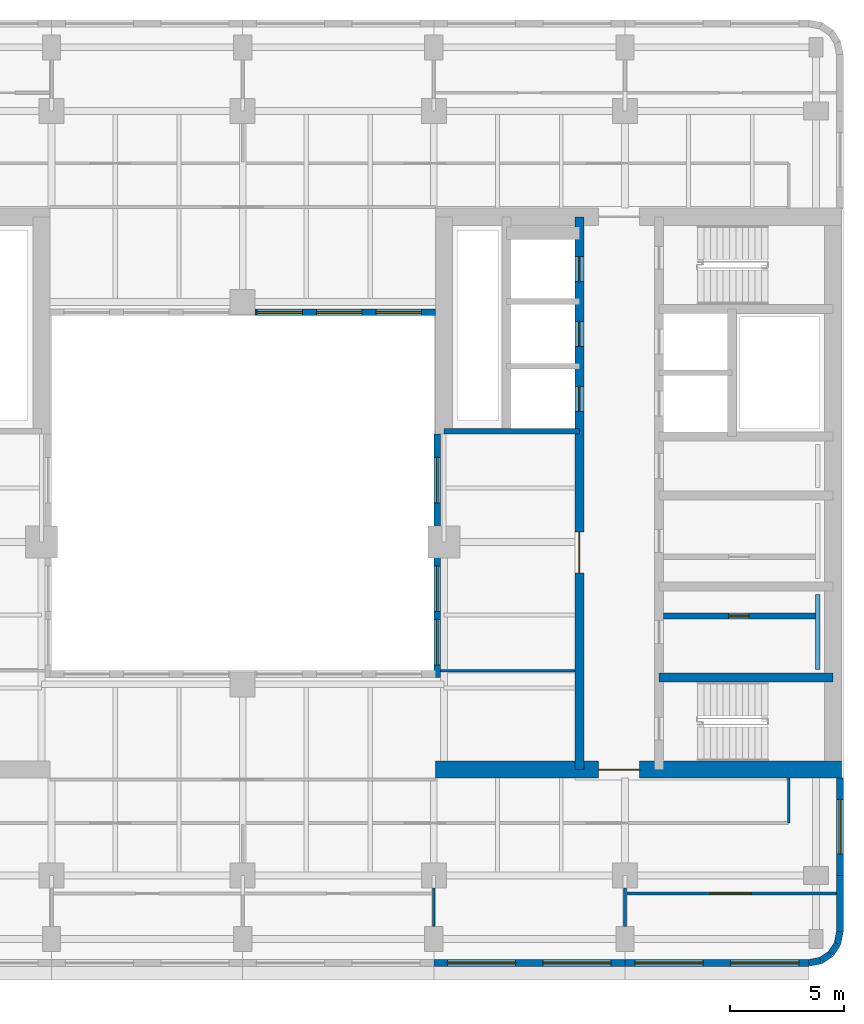
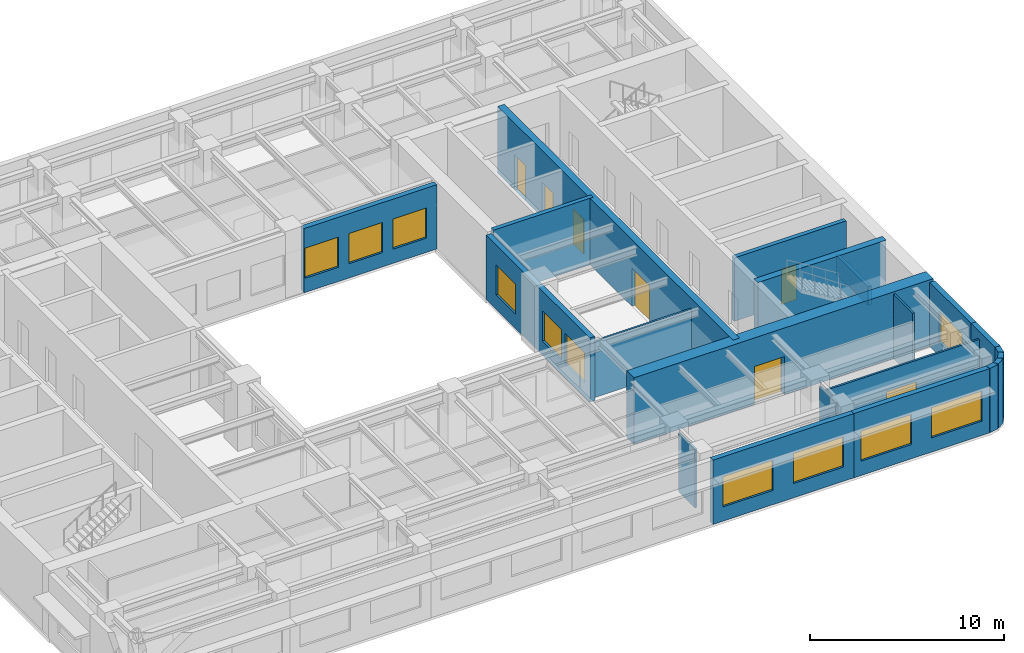
# One storey, part 5 of 11: 21 walls, 11 windows, 7 doors, 18 openings.
"""IFC4 building model written with IfcOpenShell, lengths in metres."""

from ifc_helpers import new_model, si_unit, direction, frame, frame_2d, origin, place, context, subcontext, project, spatial, rectangle, extrude, material, layer, layer_set, type_object, element, fill, save


model = new_model("IFC4")

# Units and contexts
model_context = context("Model", 3, precision=1e-05, world=origin(), true_north=direction((0.0, 1.0)))
body_context = subcontext(model_context, "Body", "Model", "MODEL_VIEW")
ifc_project = project(units=[si_unit("LENGTHUNIT", "METRE"), si_unit("AREAUNIT", "SQUARE_METRE"), si_unit("VOLUMEUNIT", "CUBIC_METRE"), si_unit("PLANEANGLEUNIT", "RADIAN"), si_unit("MASSUNIT", "GRAM", prefix="KILO")], contexts=[model_context])

# Site, building, storey
site_placement = place(None, origin())
site = spatial("IfcSite", under=ifc_project, at=site_placement, CompositionType="ELEMENT")
building_placement = place(site_placement, origin())
building = spatial("IfcBuilding", under=site, at=building_placement, Name="Claustro Exchange Tower", CompositionType="ELEMENT")
storey_placement = place(building_placement, frame((0.0, 0.0, 194.39990234375)))
storey = spatial("IfcBuildingStorey", under=building, at=storey_placement, Name="L44", CompositionType="ELEMENT", Elevation=194.39990234375)

# Walls
ifc_material_1 = material(Name="Laminated glass in aluminium frame", Category="aluminium")
ifc_layer_1 = layer(ifc_material_1, 0.1201171875)
ifc_layer_set_1 = layer_set([ifc_layer_1], Name="Laminated glass in aluminium frame")
wall_type_1 = type_object("IfcWallType", Name="P2 120 glazed partition", PredefinedType="PARTITIONING", material=ifc_layer_set_1)
wall_1_placement = place(storey_placement, frame((33.89794921875, 17.39990234375, 0.0), z_axis=(0.0, 0.0, 1.0), x_axis=(1.0, 0.0, 0.0)))
element("IfcWall", 1, at=wall_1_placement, inside=storey, type_object=wall_type_1, Name="Partition P2 L44", PredefinedType="PARTITIONING", context=body_context, shape_type="SweptSolid", body=[
    extrude(rectangle(XDim=5.904052734375, YDim=0.1201171875, at=frame_2d((2.9521484375, 0.0))), origin(), (0.0, 0.0, 1.0), 3.550048828125),
])
wall_2_placement = place(storey_placement, frame((33.60009765625, 6.14892578125, 0.0), z_axis=(0.0, 0.0, 1.0), x_axis=(0.0, 1.0, 0.0)))
element("IfcWall", 2, at=wall_2_placement, inside=storey, type_object=wall_type_1, Name="Partition P2 L44", PredefinedType="PARTITIONING", context=body_context, shape_type="SweptSolid", body=[
    extrude(rectangle(XDim=1.703125, YDim=0.1201171875, at=frame_2d((0.8515625, 0.0))), origin(), (0.0, 0.0, 1.0), 3.690185546875),
])

# Wall, opening, door
wall_3_placement = place(storey_placement, frame((42.0, 7.60009765625, 0.0), z_axis=(0.0, 0.0, 1.0), x_axis=(1.0, 0.0, 0.0)))
wall_3 = element("IfcWall", 3, at=wall_3_placement, inside=storey, type_object=wall_type_1, Name="Partition P2 L44", PredefinedType="PARTITIONING", context=body_context, shape_type="SweptSolid", body=[
    extrude(rectangle(XDim=9.302001953125, YDim=0.1201171875, at=frame_2d((4.65087890625, 0.0))), origin(), (0.0, 0.0, 1.0), 3.56005859375),
])
opening_1_placement = place(wall_3_placement, frame((3.75, 0.0, 0.0)))
opening_1 = element("IfcOpeningElement", 4, at=opening_1_placement, cuts=wall_3, Name="Opening D2", PredefinedType="OPENING", context=body_context, shape_type="SweptSolid", body=[
    extrude(rectangle(XDim=1.800048828125, YDim=2.199951171875, at=frame_2d((0.89990234375, 1.10009765625))), frame((0.0, 0.070068359375, 0.0), z_axis=(0.0, -1.0, 0.0), x_axis=(1.0, 0.0, 0.0)), (0.0, 0.0, 1.0), 0.14013671875),
])
ifc_material_2 = material(Name="Timber door, oak veneer", Category="wood")
door_type_1 = type_object("IfcDoorType", Name="D2 1800 x 2200 double door", OperationType="DOUBLE_DOOR_SINGLE_SWING", PredefinedType="DOOR", material=ifc_material_2)
door_1_placement = place(opening_1_placement, frame((1.800048828125, 0.0, 0.0), z_axis=(0.0, 0.0, 1.0), x_axis=(-1.0, 0.0, 0.0)))
door_1 = element("IfcDoor", 5, at=door_1_placement, inside=storey, type_object=door_type_1, Name="Double door D2 L44", OperationType="DOUBLE_DOOR_SINGLE_SWING", OverallHeight=2.199951171875, OverallWidth=1.800048828125, PredefinedType="DOOR", context=body_context, shape_type="SweptSolid", body=[
    extrude(rectangle(XDim=1.800048828125, YDim=2.199951171875, at=frame_2d((0.89990234375, 1.10009765625))), frame((0.0, 0.02490234375, 0.0), z_axis=(0.0, -1.0, 0.0), x_axis=(1.0, 0.0, 0.0)), (0.0, 0.0, 1.0), 0.050048828125),
])
fill(opening_1, door_1)

# Walls
wall_4_placement = place(storey_placement, frame((42.0, 6.14892578125, 0.0), z_axis=(0.0, 0.0, 1.0), x_axis=(0.0, 1.0, 0.0)))
element("IfcWall", 6, at=wall_4_placement, inside=storey, type_object=wall_type_1, Name="Partition P2 L44", PredefinedType="PARTITIONING", context=body_context, shape_type="SweptSolid", body=[
    extrude(rectangle(XDim=1.703125, YDim=0.1201171875, at=frame_2d((0.8515625, 0.0))), origin(), (0.0, 0.0, 1.0), 3.690185546875),
])
wall_5_placement = place(storey_placement, frame((49.199951171875, 10.699951171875, 0.0), z_axis=(0.0, 0.0, 1.0), x_axis=(0.0, 1.0, 0.0)))
element("IfcWall", 7, at=wall_5_placement, inside=storey, type_object=wall_type_1, Name="Partition P2 L44", PredefinedType="PARTITIONING", context=body_context, shape_type="SweptSolid", body=[
    extrude(rectangle(XDim=1.97607421875, YDim=0.1201171875, at=frame_2d((0.988037109375, 0.0))), origin(), (0.0, 0.0, 1.0), 4.050048828125),
])

# Wall, opening, door
ifc_material_3 = material(Name="Concrete blockwork, rendered", Category="masonry")
ifc_layer_2 = layer(ifc_material_3, 0.25)
ifc_layer_set_2 = layer_set([ifc_layer_2], Name="Concrete blockwork, rendered")
wall_type_2 = type_object("IfcWallType", Name="P4 250 blockwork wall", PredefinedType="PARTITIONING", material=ifc_layer_set_2)
wall_6_placement = place(storey_placement, frame((43.699951171875, 19.800048828125, 0.0), z_axis=(0.0, 0.0, 1.0), x_axis=(1.0, 0.0, 0.0)))
wall_6 = element("IfcWall", 8, at=wall_6_placement, inside=storey, type_object=wall_type_2, Name="Partition P4 L44", PredefinedType="PARTITIONING", context=body_context, shape_type="SweptSolid", body=[
    extrude(rectangle(XDim=6.675048828125, YDim=0.25, at=frame_2d((3.33740234375, 0.0))), origin(), (0.0, 0.0, 1.0), 4.0),
])
opening_2_placement = place(wall_6_placement, frame((2.862548828125, 0.0, 0.0)))
opening_2 = element("IfcOpeningElement", 9, at=opening_2_placement, cuts=wall_6, Name="Opening D5", PredefinedType="OPENING", context=body_context, shape_type="SweptSolid", body=[
    extrude(rectangle(XDim=0.89990234375, YDim=2.199951171875, at=frame_2d((0.449951171875, 1.10009765625))), frame((0.0, 0.135009765625, 0.0), z_axis=(0.0, -1.0, 0.0), x_axis=(1.0, 0.0, 0.0)), (0.0, 0.0, 1.0), 0.27001953125),
])
ifc_material_4 = material(Name="Steel door, painted", Category="steel")
door_type_2 = type_object("IfcDoorType", Name="D5 900 x 2200 store door", OperationType="SINGLE_SWING_LEFT", PredefinedType="DOOR", material=ifc_material_4)
door_2_placement = place(opening_2_placement, origin())
door_2 = element("IfcDoor", 10, at=door_2_placement, inside=storey, type_object=door_type_2, Name="Store door D5 L44", OperationType="SINGLE_SWING_LEFT", OverallHeight=2.199951171875, OverallWidth=0.89990234375, PredefinedType="DOOR", context=body_context, shape_type="SweptSolid", body=[
    extrude(rectangle(XDim=0.89990234375, YDim=2.199951171875, at=frame_2d((0.449951171875, 1.10009765625))), frame((0.0, 0.02490234375, 0.0), z_axis=(0.0, -1.0, 0.0), x_axis=(1.0, 0.0, 0.0)), (0.0, 0.0, 1.0), 0.050048828125),
])
fill(opening_2, door_2)

# Wall, openings, windows
ifc_material_5 = material(Name="Concrete HA-40 (C40/50), precast, white cement, acid-etched", Category="concrete")
ifc_layer_3 = layer(ifc_material_5, 0.300048828125)
ifc_layer_set_3 = layer_set([ifc_layer_3], Name="Concrete HA-40 (C40/50), precast, white cement, acid-etched")
wall_type_3 = type_object("IfcWallType", Name="PC1 300 precast concrete pier panel", PredefinedType="SOLIDWALL", material=ifc_layer_set_3)
wall_7_placement = place(storey_placement, frame((50.085205078125, 4.550048828125, 0.0), z_axis=(0.0, 0.0, 1.0), x_axis=(-1.0, 0.0, 0.0)))
wall_7 = element("IfcWall", 11, at=wall_7_placement, inside=storey, type_object=wall_type_3, Name="Precast pier panel PC1 L44", PredefinedType="SOLIDWALL", context=body_context, shape_type="SweptSolid", body=[
    extrude(rectangle(XDim=8.085205078125, YDim=0.300048828125, at=frame_2d((4.04248046875, 0.0))), origin(), (0.0, 0.0, 1.0), 4.050048828125),
])
opening_3_placement = place(wall_7_placement, frame((0.442626953125, 0.0, 0.89990234375)))
opening_3 = element("IfcOpeningElement", 12, at=opening_3_placement, cuts=wall_7, Name="Opening W1", PredefinedType="OPENING", context=body_context, shape_type="SweptSolid", body=[
    extrude(rectangle(XDim=3.0, YDim=1.89990234375, at=frame_2d((1.5, 0.949951171875))), frame((0.0, 0.159912109375, 0.0), z_axis=(0.0, -1.0, 0.0), x_axis=(1.0, 0.0, 0.0)), (0.0, 0.0, 1.0), 0.320068359375),
])
opening_4_placement = place(wall_7_placement, frame((4.642578125, 0.0, 0.89990234375)))
opening_4 = element("IfcOpeningElement", 13, at=opening_4_placement, cuts=wall_7, Name="Opening W1", PredefinedType="OPENING", context=body_context, shape_type="SweptSolid", body=[
    extrude(rectangle(XDim=3.0, YDim=1.89990234375, at=frame_2d((1.5, 0.949951171875))), frame((0.0, 0.159912109375, 0.0), z_axis=(0.0, -1.0, 0.0), x_axis=(1.0, 0.0, 0.0)), (0.0, 0.0, 1.0), 0.320068359375),
])
ifc_material_6 = material(Name="Aluminium frame, clear double glazing", Category="aluminium")
window_type_1 = type_object("IfcWindowType", Name="W1 3000 x 1900 window", PartitioningType="SINGLE_PANEL", PredefinedType="WINDOW", material=ifc_material_6)
window_1_placement = place(opening_3_placement, origin())
window_1 = element("IfcWindow", 14, at=window_1_placement, inside=storey, type_object=window_type_1, Name="Window W1 L44", OverallHeight=1.89990234375, OverallWidth=3.0, PartitioningType="SINGLE_PANEL", PredefinedType="WINDOW", context=body_context, shape_type="SweptSolid", body=[
    extrude(rectangle(XDim=3.0, YDim=1.89990234375, at=frame_2d((1.5, 0.949951171875))), frame((0.0, 0.030029296875, 0.0), z_axis=(0.0, -1.0, 0.0), x_axis=(1.0, 0.0, 0.0)), (0.0, 0.0, 1.0), 0.06005859375),
])
fill(opening_3, window_1)
window_2_placement = place(opening_4_placement, origin())
window_2 = element("IfcWindow", 15, at=window_2_placement, inside=storey, type_object=window_type_1, Name="Window W1 L44", OverallHeight=1.89990234375, OverallWidth=3.0, PartitioningType="SINGLE_PANEL", PredefinedType="WINDOW", context=body_context, shape_type="SweptSolid", body=[
    extrude(rectangle(XDim=3.0, YDim=1.89990234375, at=frame_2d((1.5, 0.949951171875))), frame((0.0, 0.030029296875, 0.0), z_axis=(0.0, -1.0, 0.0), x_axis=(1.0, 0.0, 0.0)), (0.0, 0.0, 1.0), 0.06005859375),
])
fill(opening_4, window_2)

wall_8_placement = place(storey_placement, frame((42.0, 4.550048828125, 0.0), z_axis=(0.0, 0.0, 1.0), x_axis=(-1.0, 0.0, 0.0)))
wall_8 = element("IfcWall", 16, at=wall_8_placement, inside=storey, type_object=wall_type_3, Name="Precast pier panel PC1 L44", PredefinedType="SOLIDWALL", context=body_context, shape_type="SweptSolid", body=[
    extrude(rectangle(XDim=8.39990234375, YDim=0.300048828125, at=frame_2d((4.199951171875, 0.0))), origin(), (0.0, 0.0, 1.0), 4.050048828125),
])
opening_5_placement = place(wall_8_placement, frame((0.60009765625, 0.0, 0.89990234375)))
opening_5 = element("IfcOpeningElement", 17, at=opening_5_placement, cuts=wall_8, Name="Opening W1", PredefinedType="OPENING", context=body_context, shape_type="SweptSolid", body=[
    extrude(rectangle(XDim=3.0, YDim=1.89990234375, at=frame_2d((1.5, 0.949951171875))), frame((0.0, 0.159912109375, 0.0), z_axis=(0.0, -1.0, 0.0), x_axis=(1.0, 0.0, 0.0)), (0.0, 0.0, 1.0), 0.320068359375),
])
opening_6_placement = place(wall_8_placement, frame((4.800048828125, 0.0, 0.89990234375)))
opening_6 = element("IfcOpeningElement", 18, at=opening_6_placement, cuts=wall_8, Name="Opening W1", PredefinedType="OPENING", context=body_context, shape_type="SweptSolid", body=[
    extrude(rectangle(XDim=3.0, YDim=1.89990234375, at=frame_2d((1.5, 0.949951171875))), frame((0.0, 0.159912109375, 0.0), z_axis=(0.0, -1.0, 0.0), x_axis=(1.0, 0.0, 0.0)), (0.0, 0.0, 1.0), 0.320068359375),
])
window_3_placement = place(opening_5_placement, origin())
window_3 = element("IfcWindow", 19, at=window_3_placement, inside=storey, type_object=window_type_1, Name="Window W1 L44", OverallHeight=1.89990234375, OverallWidth=3.0, PartitioningType="SINGLE_PANEL", PredefinedType="WINDOW", context=body_context, shape_type="SweptSolid", body=[
    extrude(rectangle(XDim=3.0, YDim=1.89990234375, at=frame_2d((1.5, 0.949951171875))), frame((0.0, 0.030029296875, 0.0), z_axis=(0.0, -1.0, 0.0), x_axis=(1.0, 0.0, 0.0)), (0.0, 0.0, 1.0), 0.06005859375),
])
fill(opening_5, window_3)
window_4_placement = place(opening_6_placement, origin())
window_4 = element("IfcWindow", 20, at=window_4_placement, inside=storey, type_object=window_type_1, Name="Window W1 L44", OverallHeight=1.89990234375, OverallWidth=3.0, PartitioningType="SINGLE_PANEL", PredefinedType="WINDOW", context=body_context, shape_type="SweptSolid", body=[
    extrude(rectangle(XDim=3.0, YDim=1.89990234375, at=frame_2d((1.5, 0.949951171875))), frame((0.0, 0.030029296875, 0.0), z_axis=(0.0, -1.0, 0.0), x_axis=(1.0, 0.0, 0.0)), (0.0, 0.0, 1.0), 0.06005859375),
])
fill(opening_6, window_4)

# Wall, opening, window
wall_9_placement = place(storey_placement, frame((51.449951171875, 12.675048828125, 0.0), z_axis=(0.0, 0.0, 1.0), x_axis=(0.0, -1.0, 0.0)))
wall_9 = element("IfcWall", 21, at=wall_9_placement, inside=storey, type_object=wall_type_3, Name="Precast pier panel PC1 L44", PredefinedType="SOLIDWALL", context=body_context, shape_type="SweptSolid", body=[
    extrude(rectangle(XDim=4.275146484375, YDim=0.300048828125, at=frame_2d((2.1376953125, 0.0))), origin(), (0.0, 0.0, 1.0), 4.050048828125),
])
opening_7_placement = place(wall_9_placement, frame((0.9375, 0.0, 0.89990234375)))
opening_7 = element("IfcOpeningElement", 22, at=opening_7_placement, cuts=wall_9, Name="Opening W2", PredefinedType="OPENING", context=body_context, shape_type="SweptSolid", body=[
    extrude(rectangle(XDim=2.39990234375, YDim=1.89990234375, at=frame_2d((1.199951171875, 0.949951171875))), frame((0.0, 0.159912109375, 0.0), z_axis=(0.0, -1.0, 0.0), x_axis=(1.0, 0.0, 0.0)), (0.0, 0.0, 1.0), 0.320068359375),
])
ifc_material_7 = material(Name="Aluminium frame, clear double glazing", Category="aluminium")
window_type_2 = type_object("IfcWindowType", Name="W2 2400 x 1900 window", PartitioningType="SINGLE_PANEL", PredefinedType="WINDOW", material=ifc_material_7)
window_5_placement = place(opening_7_placement, origin())
window_5 = element("IfcWindow", 23, at=window_5_placement, inside=storey, type_object=window_type_2, Name="Window W2 L44", OverallHeight=1.89990234375, OverallWidth=2.39990234375, PartitioningType="SINGLE_PANEL", PredefinedType="WINDOW", context=body_context, shape_type="SweptSolid", body=[
    extrude(rectangle(XDim=2.39990234375, YDim=1.89990234375, at=frame_2d((1.199951171875, 0.949951171875))), frame((0.0, 0.030029296875, 0.0), z_axis=(0.0, -1.0, 0.0), x_axis=(1.0, 0.0, 0.0)), (0.0, 0.0, 1.0), 0.06005859375),
])
fill(opening_7, window_5)

# Walls
wall_10_placement = place(storey_placement, frame((51.449951171875, 8.39990234375, 0.0), z_axis=(0.0, 0.0, 1.0), x_axis=(0.0, -1.0, 0.0)))
element("IfcWall", 24, at=wall_10_placement, inside=storey, type_object=wall_type_3, Name="Precast pier panel PC1 L44", PredefinedType="SOLIDWALL", context=body_context, shape_type="SweptSolid", body=[
    extrude(rectangle(XDim=2.485107421875, YDim=0.300048828125, at=frame_2d((1.24267578125, 0.0))), origin(), (0.0, 0.0, 1.0), 4.050048828125),
])
wall_11_placement = place(storey_placement, frame((51.449951171875, 5.914794921875, 0.0), z_axis=(0.0, 0.0, 1.0), x_axis=(-0.195073962632, -0.980788534345, 0.0)))
element("IfcWall", 25, at=wall_11_placement, inside=storey, type_object=wall_type_3, Name="Precast pier panel PC1 L44", PredefinedType="SOLIDWALL", context=body_context, shape_type="SweptSolid", body=[
    extrude(rectangle(XDim=0.540771484375, YDim=0.300048828125, at=frame_2d((0.2705078125, 0.0))), origin(), (0.0, 0.0, 1.0), 4.050048828125),
])
for number, where, z_axis, x_axis, name in (
    (26, (51.344482421875, 5.384521484375, 0.0), (0.0, 0.0, 1.0), (-0.555557463938, -0.831478144188, 0.0), "Precast pier panel PC1 L44"),
    (27, (51.052490234375, 4.947509765625, 0.0), (0.0, 0.0, 1.0), (-0.831478144188, -0.555557463938, 0.0), "Precast pier panel PC1 L44"),
):
    element("IfcWall", number, at=place(storey_placement, frame(where, z_axis=z_axis, x_axis=x_axis)), inside=storey, type_object=wall_type_3, Name=name, PredefinedType="SOLIDWALL", context=body_context, shape_type="SweptSolid", body=[
        extrude(rectangle(XDim=0.525634765625, YDim=0.300048828125, at=frame_2d((0.2626953125, 0.0))), origin(), (0.0, 0.0, 1.0), 4.050048828125),
    ])
wall_12_placement = place(storey_placement, frame((50.615478515625, 4.655517578125, 0.0), z_axis=(0.0, 0.0, 1.0), x_axis=(-0.980788534345, -0.195073962632, 0.0)))
element("IfcWall", 28, at=wall_12_placement, inside=storey, type_object=wall_type_3, Name="Precast pier panel PC1 L44", PredefinedType="SOLIDWALL", context=body_context, shape_type="SweptSolid", body=[
    extrude(rectangle(XDim=0.540771484375, YDim=0.300048828125, at=frame_2d((0.2705078125, 0.0))), origin(), (0.0, 0.0, 1.0), 4.050048828125),
])

# Wall, openings, windows
wall_13_placement = place(storey_placement, frame((33.75, 17.10009765625, 0.0), z_axis=(0.0, 0.0, 1.0), x_axis=(0.0, 1.0, 0.0)))
wall_13 = element("IfcWall", 29, at=wall_13_placement, inside=storey, type_object=wall_type_3, Name="Precast pier panel PC1 L44", PredefinedType="SOLIDWALL", context=body_context, shape_type="SweptSolid", body=[
    extrude(rectangle(XDim=10.699951171875, YDim=0.300048828125, at=frame_2d((5.35009765625, 0.0))), origin(), (0.0, 0.0, 1.0), 4.050048828125),
])
opening_8_placement = place(wall_13_placement, frame((0.550048828125, 0.0, 0.89990234375)))
opening_8 = element("IfcOpeningElement", 30, at=opening_8_placement, cuts=wall_13, Name="Opening W4", PredefinedType="OPENING", context=body_context, shape_type="SweptSolid", body=[
    extrude(rectangle(XDim=2.0, YDim=1.89990234375, at=frame_2d((1.0, 0.949951171875))), frame((0.0, 0.159912109375, 0.0), z_axis=(0.0, -1.0, 0.0), x_axis=(1.0, 0.0, 0.0)), (0.0, 0.0, 1.0), 0.320068359375),
])
opening_9_placement = place(wall_13_placement, frame((2.89990234375, 0.0, 0.89990234375)))
opening_9 = element("IfcOpeningElement", 31, at=opening_9_placement, cuts=wall_13, Name="Opening W4", PredefinedType="OPENING", context=body_context, shape_type="SweptSolid", body=[
    extrude(rectangle(XDim=2.0, YDim=1.89990234375, at=frame_2d((1.0, 0.949951171875))), frame((0.0, 0.159912109375, 0.0), z_axis=(0.0, -1.0, 0.0), x_axis=(1.0, 0.0, 0.0)), (0.0, 0.0, 1.0), 0.320068359375),
])
opening_10_placement = place(wall_13_placement, frame((7.675048828125, 0.0, 0.89990234375)))
opening_10 = element("IfcOpeningElement", 32, at=opening_10_placement, cuts=wall_13, Name="Opening W4", PredefinedType="OPENING", context=body_context, shape_type="SweptSolid", body=[
    extrude(rectangle(XDim=2.0, YDim=1.89990234375, at=frame_2d((1.0, 0.949951171875))), frame((0.0, 0.159912109375, 0.0), z_axis=(0.0, -1.0, 0.0), x_axis=(1.0, 0.0, 0.0)), (0.0, 0.0, 1.0), 0.320068359375),
])
ifc_material_8 = material(Name="Aluminium frame, clear double glazing", Category="aluminium")
window_type_3 = type_object("IfcWindowType", Name="W4 2000 x 1900 light well window", PartitioningType="SINGLE_PANEL", PredefinedType="WINDOW", material=ifc_material_8)
window_6_placement = place(opening_8_placement, origin())
window_6 = element("IfcWindow", 33, at=window_6_placement, inside=storey, type_object=window_type_3, Name="Window W4 L44", OverallHeight=1.89990234375, OverallWidth=2.0, PartitioningType="SINGLE_PANEL", PredefinedType="WINDOW", context=body_context, shape_type="SweptSolid", body=[
    extrude(rectangle(XDim=2.0, YDim=1.89990234375, at=frame_2d((1.0, 0.949951171875))), frame((0.0, 0.030029296875, 0.0), z_axis=(0.0, -1.0, 0.0), x_axis=(1.0, 0.0, 0.0)), (0.0, 0.0, 1.0), 0.06005859375),
])
fill(opening_8, window_6)
window_7_placement = place(opening_9_placement, origin())
window_7 = element("IfcWindow", 34, at=window_7_placement, inside=storey, type_object=window_type_3, Name="Window W4 L44", OverallHeight=1.89990234375, OverallWidth=2.0, PartitioningType="SINGLE_PANEL", PredefinedType="WINDOW", context=body_context, shape_type="SweptSolid", body=[
    extrude(rectangle(XDim=2.0, YDim=1.89990234375, at=frame_2d((1.0, 0.949951171875))), frame((0.0, 0.030029296875, 0.0), z_axis=(0.0, -1.0, 0.0), x_axis=(1.0, 0.0, 0.0)), (0.0, 0.0, 1.0), 0.06005859375),
])
fill(opening_9, window_7)
window_8_placement = place(opening_10_placement, origin())
window_8 = element("IfcWindow", 35, at=window_8_placement, inside=storey, type_object=window_type_3, Name="Window W4 L44", OverallHeight=1.89990234375, OverallWidth=2.0, PartitioningType="SINGLE_PANEL", PredefinedType="WINDOW", context=body_context, shape_type="SweptSolid", body=[
    extrude(rectangle(XDim=2.0, YDim=1.89990234375, at=frame_2d((1.0, 0.949951171875))), frame((0.0, 0.030029296875, 0.0), z_axis=(0.0, -1.0, 0.0), x_axis=(1.0, 0.0, 0.0)), (0.0, 0.0, 1.0), 0.06005859375),
])
fill(opening_10, window_8)

wall_14_placement = place(storey_placement, frame((25.75, 33.14990234375, 0.0), z_axis=(0.0, 0.0, 1.0), x_axis=(1.0, 0.0, 0.0)))
wall_14 = element("IfcWall", 36, at=wall_14_placement, inside=storey, type_object=wall_type_3, Name="Precast pier panel PC1 L44", PredefinedType="SOLIDWALL", context=body_context, shape_type="SweptSolid", body=[
    extrude(rectangle(XDim=7.925048828125, YDim=0.300048828125, at=frame_2d((3.96240234375, 0.0))), origin(), (0.0, 0.0, 1.0), 4.050048828125),
])
opening_11_placement = place(wall_14_placement, frame((0.068603515625, 0.0, 0.89990234375)))
opening_11 = element("IfcOpeningElement", 37, at=opening_11_placement, cuts=wall_14, Name="Opening W4", PredefinedType="OPENING", context=body_context, shape_type="SweptSolid", body=[
    extrude(rectangle(XDim=2.0, YDim=1.89990234375, at=frame_2d((1.0, 0.949951171875))), frame((0.0, 0.159912109375, 0.0), z_axis=(0.0, -1.0, 0.0), x_axis=(1.0, 0.0, 0.0)), (0.0, 0.0, 1.0), 0.320068359375),
])
opening_12_placement = place(wall_14_placement, frame((2.6875, 0.0, 0.89990234375)))
opening_12 = element("IfcOpeningElement", 38, at=opening_12_placement, cuts=wall_14, Name="Opening W4", PredefinedType="OPENING", context=body_context, shape_type="SweptSolid", body=[
    extrude(rectangle(XDim=2.0, YDim=1.89990234375, at=frame_2d((1.0, 0.949951171875))), frame((0.0, 0.159912109375, 0.0), z_axis=(0.0, -1.0, 0.0), x_axis=(1.0, 0.0, 0.0)), (0.0, 0.0, 1.0), 0.320068359375),
])
opening_13_placement = place(wall_14_placement, frame((5.30615234375, 0.0, 0.89990234375)))
opening_13 = element("IfcOpeningElement", 39, at=opening_13_placement, cuts=wall_14, Name="Opening W4", PredefinedType="OPENING", context=body_context, shape_type="SweptSolid", body=[
    extrude(rectangle(XDim=2.0, YDim=1.89990234375, at=frame_2d((1.0, 0.949951171875))), frame((0.0, 0.159912109375, 0.0), z_axis=(0.0, -1.0, 0.0), x_axis=(1.0, 0.0, 0.0)), (0.0, 0.0, 1.0), 0.320068359375),
])
window_9_placement = place(opening_11_placement, origin())
window_9 = element("IfcWindow", 40, at=window_9_placement, inside=storey, type_object=window_type_3, Name="Window W4 L44", OverallHeight=1.89990234375, OverallWidth=2.0, PartitioningType="SINGLE_PANEL", PredefinedType="WINDOW", context=body_context, shape_type="SweptSolid", body=[
    extrude(rectangle(XDim=2.0, YDim=1.89990234375, at=frame_2d((1.0, 0.949951171875))), frame((0.0, 0.030029296875, 0.0), z_axis=(0.0, -1.0, 0.0), x_axis=(1.0, 0.0, 0.0)), (0.0, 0.0, 1.0), 0.06005859375),
])
fill(opening_11, window_9)
window_10_placement = place(opening_12_placement, origin())
window_10 = element("IfcWindow", 41, at=window_10_placement, inside=storey, type_object=window_type_3, Name="Window W4 L44", OverallHeight=1.89990234375, OverallWidth=2.0, PartitioningType="SINGLE_PANEL", PredefinedType="WINDOW", context=body_context, shape_type="SweptSolid", body=[
    extrude(rectangle(XDim=2.0, YDim=1.89990234375, at=frame_2d((1.0, 0.949951171875))), frame((0.0, 0.030029296875, 0.0), z_axis=(0.0, -1.0, 0.0), x_axis=(1.0, 0.0, 0.0)), (0.0, 0.0, 1.0), 0.06005859375),
])
fill(opening_12, window_10)
window_11_placement = place(opening_13_placement, origin())
window_11 = element("IfcWindow", 42, at=window_11_placement, inside=storey, type_object=window_type_3, Name="Window W4 L44", OverallHeight=1.89990234375, OverallWidth=2.0, PartitioningType="SINGLE_PANEL", PredefinedType="WINDOW", context=body_context, shape_type="SweptSolid", body=[
    extrude(rectangle(XDim=2.0, YDim=1.89990234375, at=frame_2d((1.0, 0.949951171875))), frame((0.0, 0.030029296875, 0.0), z_axis=(0.0, -1.0, 0.0), x_axis=(1.0, 0.0, 0.0)), (0.0, 0.0, 1.0), 0.06005859375),
])
fill(opening_13, window_11)

# Wall
ifc_material_9 = material(Name="Gypsum board on steel studs, tiled", Category="steel")
ifc_layer_4 = layer(ifc_material_9, 0.199951171875)
ifc_layer_set_4 = layer_set([ifc_layer_4], Name="Gypsum board on steel studs, tiled")
wall_type_4 = type_object("IfcWallType", Name="PW1 200 WC duct wall", PredefinedType="PLUMBINGWALL", material=ifc_layer_set_4)
wall_15_placement = place(storey_placement, frame((50.47509765625, 17.449951171875, 0.0), z_axis=(0.0, 0.0, 1.0), x_axis=(0.0, 1.0, 0.0)))
element("IfcWall", 43, at=wall_15_placement, inside=storey, type_object=wall_type_4, Name="WC duct wall PW1 L44", PredefinedType="PLUMBINGWALL", context=body_context, shape_type="SweptSolid", body=[
    extrude(rectangle(XDim=3.300048828125, YDim=0.199951171875, at=frame_2d((1.64990234375, 0.0))), origin(), (0.0, 0.0, 1.0), 1.2001953125),
])

# Wall, opening, door
ifc_material_10 = material(Name="Concrete HA-70 (C70/85)", Category="concrete")
ifc_layer_5 = layer(ifc_material_10, 0.75)
ifc_layer_set_5 = layer_set([ifc_layer_5], Name="Concrete HA-70 (C70/85)")
wall_type_5 = type_object("IfcWallType", Name="SW2 750 core shear wall", PredefinedType="SHEAR", material=ifc_layer_set_5)
wall_16_placement = place(storey_placement, frame((33.675048828125, 13.050048828125, 0.0), z_axis=(0.0, 0.0, 1.0), x_axis=(1.0, 0.0, 0.0)))
wall_16 = element("IfcWall", 44, at=wall_16_placement, inside=storey, type_object=wall_type_5, Name="Core wall SW2 E core S face L44", PredefinedType="SHEAR", context=body_context, shape_type="SweptSolid", body=[
    extrude(rectangle(XDim=17.849853515625, YDim=0.75, at=frame_2d((8.9248046875, 0.0))), origin(), (0.0, 0.0, 1.0), 4.2001953125),
])
opening_14_placement = place(wall_16_placement, frame((7.175048828125, 0.0, 0.0)))
opening_14 = element("IfcOpeningElement", 45, at=opening_14_placement, cuts=wall_16, Name="Opening D3", PredefinedType="OPENING", context=body_context, shape_type="SweptSolid", body=[
    extrude(rectangle(XDim=1.800048828125, YDim=2.39990234375, at=frame_2d((0.89990234375, 1.199951171875))), frame((0.0, 0.385009765625, 0.0), z_axis=(0.0, -1.0, 0.0), x_axis=(1.0, 0.0, 0.0)), (0.0, 0.0, 1.0), 0.77001953125),
])
ifc_material_11 = material(Name="Steel fire door, painted", Category="steel")
door_type_3 = type_object("IfcDoorType", Name="D3 1800 x 2400 fire-rated lobby double door", OperationType="DOUBLE_DOOR_SINGLE_SWING", PredefinedType="DOOR", material=ifc_material_11)
door_3_placement = place(opening_14_placement, origin())
door_3 = element("IfcDoor", 46, at=door_3_placement, inside=storey, type_object=door_type_3, Name="Lift lobby door D3 L44", OperationType="DOUBLE_DOOR_SINGLE_SWING", OverallHeight=2.39990234375, OverallWidth=1.800048828125, PredefinedType="DOOR", context=body_context, shape_type="SweptSolid", body=[
    extrude(rectangle(XDim=1.800048828125, YDim=2.39990234375, at=frame_2d((0.89990234375, 1.199951171875))), frame((0.0, 0.02490234375, 0.0), z_axis=(0.0, -1.0, 0.0), x_axis=(1.0, 0.0, 0.0)), (0.0, 0.0, 1.0), 0.050048828125),
])
fill(opening_14, door_3)

# Wall, openings, doors
ifc_material_12 = material(Name="Concrete HA-50 (C50/60)", Category="concrete")
ifc_layer_6 = layer(ifc_material_12, 0.39990234375)
ifc_layer_set_6 = layer_set([ifc_layer_6], Name="Concrete HA-50 (C50/60)")
wall_type_6 = type_object("IfcWallType", Name="SW4 400 internal core wall", PredefinedType="SHEAR", material=ifc_layer_set_6)
wall_17_placement = place(storey_placement, frame((40.0, 13.050048828125, 0.0), z_axis=(0.0, 0.0, 1.0), x_axis=(0.0, 1.0, 0.0)))
wall_17 = element("IfcWall", 47, at=wall_17_placement, inside=storey, type_object=wall_type_6, Name="Internal core wall SW4 E core L44", PredefinedType="SHEAR", context=body_context, shape_type="SweptSolid", body=[
    extrude(rectangle(XDim=24.300048828125, YDim=0.39990234375, at=frame_2d((12.14990234375, 0.0))), origin(), (0.0, 0.0, 1.0), 4.2001953125),
])
opening_15_placement = place(wall_17_placement, frame((15.75, 0.0, 0.0)))
opening_15 = element("IfcOpeningElement", 48, at=opening_15_placement, cuts=wall_17, Name="Opening LD", PredefinedType="OPENING", context=body_context, shape_type="SweptSolid", body=[
    extrude(rectangle(XDim=1.10009765625, YDim=2.199951171875, at=frame_2d((0.550048828125, 1.10009765625))), frame((0.0, 0.2099609375, 0.0), z_axis=(0.0, -1.0, 0.0), x_axis=(1.0, 0.0, 0.0)), (0.0, 0.0, 1.0), 0.419921875),
])
opening_16_placement = place(wall_17_placement, frame((18.60009765625, 0.0, 0.0)))
opening_16 = element("IfcOpeningElement", 49, at=opening_16_placement, cuts=wall_17, Name="Opening LD", PredefinedType="OPENING", context=body_context, shape_type="SweptSolid", body=[
    extrude(rectangle(XDim=1.10009765625, YDim=2.199951171875, at=frame_2d((0.550048828125, 1.10009765625))), frame((0.0, 0.2099609375, 0.0), z_axis=(0.0, -1.0, 0.0), x_axis=(1.0, 0.0, 0.0)), (0.0, 0.0, 1.0), 0.419921875),
])
opening_17_placement = place(wall_17_placement, frame((21.449951171875, 0.0, 0.0)))
opening_17 = element("IfcOpeningElement", 50, at=opening_17_placement, cuts=wall_17, Name="Opening LD", PredefinedType="OPENING", context=body_context, shape_type="SweptSolid", body=[
    extrude(rectangle(XDim=1.10009765625, YDim=2.199951171875, at=frame_2d((0.550048828125, 1.10009765625))), frame((0.0, 0.2099609375, 0.0), z_axis=(0.0, -1.0, 0.0), x_axis=(1.0, 0.0, 0.0)), (0.0, 0.0, 1.0), 0.419921875),
])
opening_18_placement = place(wall_17_placement, frame((8.64990234375, 0.0, 0.0)))
opening_18 = element("IfcOpeningElement", 51, at=opening_18_placement, cuts=wall_17, Name="Opening D3", PredefinedType="OPENING", context=body_context, shape_type="SweptSolid", body=[
    extrude(rectangle(XDim=1.800048828125, YDim=2.39990234375, at=frame_2d((0.89990234375, 1.199951171875))), frame((0.0, 0.2099609375, 0.0), z_axis=(0.0, -1.0, 0.0), x_axis=(1.0, 0.0, 0.0)), (0.0, 0.0, 1.0), 0.419921875),
])
door_4_placement = place(opening_18_placement, origin())
door_4 = element("IfcDoor", 52, at=door_4_placement, inside=storey, type_object=door_type_3, Name="Core zone door D3 L44", OperationType="DOUBLE_DOOR_SINGLE_SWING", OverallHeight=2.39990234375, OverallWidth=1.800048828125, PredefinedType="DOOR", context=body_context, shape_type="SweptSolid", body=[
    extrude(rectangle(XDim=1.800048828125, YDim=2.39990234375, at=frame_2d((0.89990234375, 1.199951171875))), frame((0.0, 0.02490234375, 0.0), z_axis=(0.0, -1.0, 0.0), x_axis=(1.0, 0.0, 0.0)), (0.0, 0.0, 1.0), 0.050048828125),
])
fill(opening_18, door_4)
ifc_material_13 = material(Name="Stainless steel sliding door", Category="steel")
door_type_4 = type_object("IfcDoorType", Name="LD 1100 x 2200 lift landing door", OperationType="DOUBLE_DOOR_SLIDING", PredefinedType="DOOR", material=ifc_material_13)
door_5_placement = place(opening_15_placement, origin())
door_5 = element("IfcDoor", 53, at=door_5_placement, inside=storey, type_object=door_type_4, Name="Lift landing door LHE1 LD L44", OperationType="DOUBLE_DOOR_SLIDING", OverallHeight=2.199951171875, OverallWidth=1.10009765625, PredefinedType="DOOR", context=body_context, shape_type="SweptSolid", body=[
    extrude(rectangle(XDim=1.10009765625, YDim=2.199951171875, at=frame_2d((0.550048828125, 1.10009765625))), frame((0.0, 0.02490234375, 0.0), z_axis=(0.0, -1.0, 0.0), x_axis=(1.0, 0.0, 0.0)), (0.0, 0.0, 1.0), 0.050048828125),
])
fill(opening_15, door_5)
door_6_placement = place(opening_16_placement, origin())
door_6 = element("IfcDoor", 54, at=door_6_placement, inside=storey, type_object=door_type_4, Name="Lift landing door LHE2 LD L44", OperationType="DOUBLE_DOOR_SLIDING", OverallHeight=2.199951171875, OverallWidth=1.10009765625, PredefinedType="DOOR", context=body_context, shape_type="SweptSolid", body=[
    extrude(rectangle(XDim=1.10009765625, YDim=2.199951171875, at=frame_2d((0.550048828125, 1.10009765625))), frame((0.0, 0.02490234375, 0.0), z_axis=(0.0, -1.0, 0.0), x_axis=(1.0, 0.0, 0.0)), (0.0, 0.0, 1.0), 0.050048828125),
])
fill(opening_16, door_6)
door_7_placement = place(opening_17_placement, origin())
door_7 = element("IfcDoor", 55, at=door_7_placement, inside=storey, type_object=door_type_4, Name="Lift landing door LSE1 LD L44", OperationType="DOUBLE_DOOR_SLIDING", OverallHeight=2.199951171875, OverallWidth=1.10009765625, PredefinedType="DOOR", context=body_context, shape_type="SweptSolid", body=[
    extrude(rectangle(XDim=1.10009765625, YDim=2.199951171875, at=frame_2d((0.550048828125, 1.10009765625))), frame((0.0, 0.02490234375, 0.0), z_axis=(0.0, -1.0, 0.0), x_axis=(1.0, 0.0, 0.0)), (0.0, 0.0, 1.0), 0.050048828125),
])
fill(opening_17, door_7)

# Walls
wall_18_placement = place(storey_placement, frame((51.14990234375, 17.10009765625, 0.0), z_axis=(0.0, 0.0, 1.0), x_axis=(-1.0, 0.0, 0.0)))
element("IfcWall", 56, at=wall_18_placement, inside=storey, type_object=wall_type_6, Name="Internal core wall SW4 E core L44", PredefinedType="SHEAR", context=body_context, shape_type="SweptSolid", body=[
    extrude(rectangle(XDim=7.64990234375, YDim=0.39990234375, at=frame_2d((3.824951171875, 0.0))), origin(), (0.0, 0.0, 1.0), 4.2001953125),
])
ifc_material_14 = material(Name="Concrete HA-50 (C50/60)", Category="concrete")
ifc_layer_7 = layer(ifc_material_14, 0.25)
ifc_layer_set_7 = layer_set([ifc_layer_7], Name="Concrete HA-50 (C50/60)")
wall_type_7 = type_object("IfcWallType", Name="SW5 250 lift shaft divider wall", PredefinedType="SHEAR", material=ifc_layer_set_7)
wall_19_placement = place(storey_placement, frame((40.0, 27.925048828125, 0.0), z_axis=(0.0, 0.0, 1.0), x_axis=(-1.0, 0.0, 0.0)))
element("IfcWall", 57, at=wall_19_placement, inside=storey, type_object=wall_type_7, Name="Core step wall E core L44", PredefinedType="SHEAR", context=body_context, shape_type="SweptSolid", body=[
    extrude(rectangle(XDim=5.949951171875, YDim=0.25, at=frame_2d((2.97509765625, 0.0))), origin(), (0.0, 0.0, 1.0), 4.2001953125),
])

save(model, "model.ifc")
